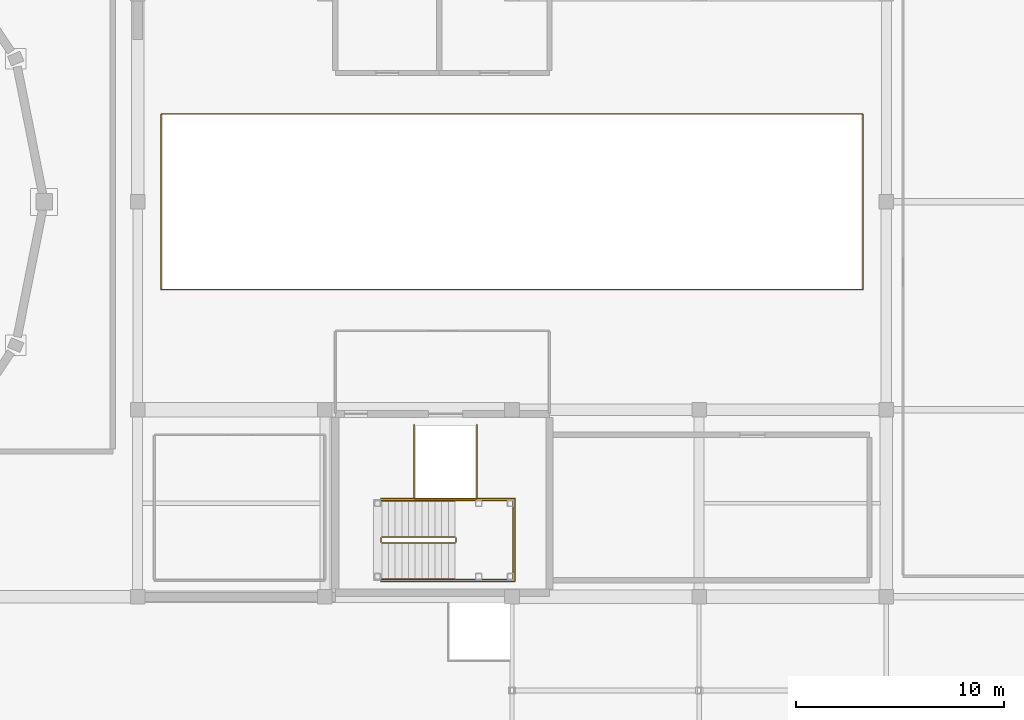
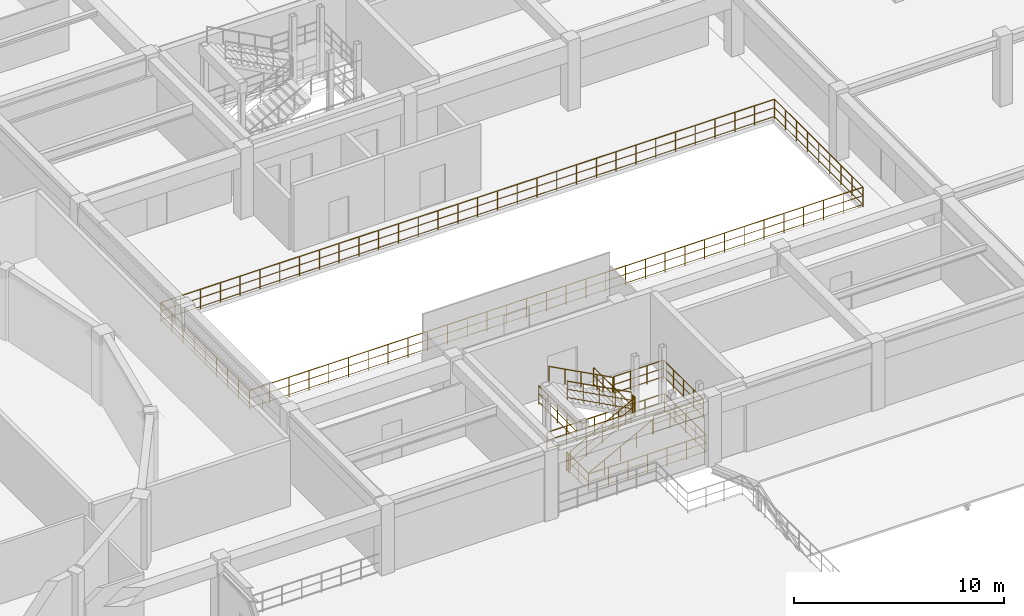
# One storey, part 106 of 110: 10 railings.
"""IFC4 building model written with IfcOpenShell, lengths in metres."""

from ifc_helpers import new_model, si_unit, direction, frame, origin, origin_2d, place, context, subcontext, project, spatial, circle, extrude, material, type_object, element, save


model = new_model("IFC4")

# Units and contexts
model_context = context("Model", 3, precision=1e-05, world=origin(), true_north=direction((0.0, 1.0)))
body_context = subcontext(model_context, "Body", "Model", "MODEL_VIEW")
ifc_project = project(units=[si_unit("LENGTHUNIT", "METRE"), si_unit("AREAUNIT", "SQUARE_METRE"), si_unit("VOLUMEUNIT", "CUBIC_METRE"), si_unit("PLANEANGLEUNIT", "RADIAN"), si_unit("MASSUNIT", "GRAM", prefix="KILO")], contexts=[model_context])

# Site, building, storey
site_placement = place(None, origin())
site = spatial("IfcSite", under=ifc_project, at=site_placement, CompositionType="ELEMENT")
building_placement = place(site_placement, origin())
building = spatial("IfcBuilding", under=site, at=building_placement, Name="Miravela Opera House", CompositionType="ELEMENT")
storey_placement = place(building_placement, frame((0.0, 0.0, 13.60009765625)))
storey = spatial("IfcBuildingStorey", under=building, at=storey_placement, Name="L03", CompositionType="ELEMENT", Elevation=13.60009765625)

# Railings
ifc_material_1 = material(Name="Brushed bronze continuous stair handrail")
railing_type_1 = type_object("IfcRailingType", Name="ARC-RAIL-HAND-900", PredefinedType="HANDRAIL", material=ifc_material_1)
railing_1_placement = place(storey_placement, frame((110.739990234375, 37.85009765625, 0.169921875)))
element("IfcRailing", 1, at=railing_1_placement, inside=storey, type_object=railing_type_1, Name="L03 ST-04 stair handrail 1", PredefinedType="HANDRAIL", context=body_context, shape_type="SweptSolid", body=[
    extrude(circle(Radius=0.02392578125, at=origin_2d()), frame((0.0, 0.0, 0.8759765625), z_axis=(0.883129994055, 0.0, 0.469128355144), x_axis=(0.0, 1.0, 0.0)), (0.0, 0.0, 1.0), 3.98583984375),
    extrude(circle(Radius=0.02099609375, at=origin_2d()), origin(), (0.0, 0.0, 1.0), 0.851806640625),
    extrude(circle(Radius=0.02099609375, at=origin_2d()), frame((0.8798828125, 0.0, 0.467529296875)), (0.0, 0.0, 1.0), 0.851806640625),
    extrude(circle(Radius=0.02099609375, at=origin_2d()), frame((1.760009765625, 0.0, 0.93505859375)), (0.0, 0.0, 1.0), 0.851806640625),
    extrude(circle(Radius=0.02099609375, at=origin_2d()), frame((2.64013671875, 0.0, 1.40234375)), (0.0, 0.0, 1.0), 0.851806640625),
    extrude(circle(Radius=0.02099609375, at=origin_2d()), frame((3.52001953125, 0.0, 1.869873046875)), (0.0, 0.0, 1.0), 0.851806640625),
])
railing_2_placement = place(storey_placement, frame((114.260009765625, 41.6298828125, 2.2099609375)))
element("IfcRailing", 2, at=railing_2_placement, inside=storey, type_object=railing_type_1, Name="L03 ST-04 stair handrail 2", PredefinedType="HANDRAIL", context=body_context, shape_type="SweptSolid", body=[
    extrude(circle(Radius=0.02392578125, at=origin_2d()), frame((0.0, 0.0, 0.8759765625), z_axis=(-0.883129994055, 0.0, 0.469128355144), x_axis=(0.0, -1.0, 0.0)), (0.0, 0.0, 1.0), 3.98583984375),
    extrude(circle(Radius=0.02099609375, at=origin_2d()), origin(), (0.0, 0.0, 1.0), 0.851806640625),
    extrude(circle(Radius=0.02099609375, at=origin_2d()), frame((-0.8798828125, 0.0, 0.467529296875)), (0.0, 0.0, 1.0), 0.851806640625),
    extrude(circle(Radius=0.02099609375, at=origin_2d()), frame((-1.760009765625, 0.0, 0.93505859375)), (0.0, 0.0, 1.0), 0.851806640625),
    extrude(circle(Radius=0.02099609375, at=origin_2d()), frame((-2.64013671875, 0.0, 1.40234375)), (0.0, 0.0, 1.0), 0.851806640625),
    extrude(circle(Radius=0.02099609375, at=origin_2d()), frame((-3.52001953125, 0.0, 1.869873046875)), (0.0, 0.0, 1.0), 0.851806640625),
])
ifc_material_2 = material(Name="Galvanised steel fly-gallery safety guardrail", Category="steel")
railing_type_2 = type_object("IfcRailingType", Name="ARC-RAIL-STAGE-GUARD", PredefinedType="GUARDRAIL", material=ifc_material_2)
railing_3_placement = place(storey_placement, frame((100.122314453125, 51.780517578125, 0.0)))
element("IfcRailing", 3, at=railing_3_placement, inside=storey, type_object=railing_type_2, Name="L03 Void Perimeter Balustrade 0165", PredefinedType="GUARDRAIL", context=body_context, shape_type="SweptSolid", body=[
    extrude(circle(Radius=0.02392578125, at=origin_2d()), frame((0.0, 0.0, 1.1259765625), z_axis=(1.0, 0.0, 0.0), x_axis=(0.0, 1.0, 0.0)), (0.0, 0.0, 1.0), 33.75537109375),
    extrude(circle(Radius=0.01611328125, at=origin_2d()), frame((0.0, 0.0, 0.63232421875), z_axis=(1.0, 0.0, 0.0), x_axis=(0.0, 1.0, 0.0)), (0.0, 0.0, 1.0), 33.75537109375),
    extrude(circle(Radius=0.01611328125, at=origin_2d()), frame((0.0, 0.0, 0.1201171875), z_axis=(1.0, 0.0, 0.0), x_axis=(0.0, 1.0, 0.0)), (0.0, 0.0, 1.0), 33.75537109375),
    extrude(circle(Radius=0.02392578125, at=origin_2d()), frame((33.75537109375, 0.0, 1.1259765625), z_axis=(0.0, 1.0, 0.0), x_axis=(-1.0, 0.0, 0.0)), (0.0, 0.0, 1.0), 8.43896484375),
    extrude(circle(Radius=0.01611328125, at=origin_2d()), frame((33.75537109375, 0.0, 0.63232421875), z_axis=(0.0, 1.0, 0.0), x_axis=(-1.0, 0.0, 0.0)), (0.0, 0.0, 1.0), 8.43896484375),
    extrude(circle(Radius=0.01611328125, at=origin_2d()), frame((33.75537109375, 0.0, 0.1201171875), z_axis=(0.0, 1.0, 0.0), x_axis=(-1.0, 0.0, 0.0)), (0.0, 0.0, 1.0), 8.43896484375),
    extrude(circle(Radius=0.02392578125, at=origin_2d()), frame((33.75537109375, 8.43896484375, 1.1259765625), z_axis=(-1.0, 0.0, 0.0), x_axis=(0.0, -1.0, 0.0)), (0.0, 0.0, 1.0), 33.75537109375),
    extrude(circle(Radius=0.01611328125, at=origin_2d()), frame((33.75537109375, 8.43896484375, 0.63232421875), z_axis=(-1.0, 0.0, 0.0), x_axis=(0.0, -1.0, 0.0)), (0.0, 0.0, 1.0), 33.75537109375),
    extrude(circle(Radius=0.01611328125, at=origin_2d()), frame((33.75537109375, 8.43896484375, 0.1201171875), z_axis=(-1.0, 0.0, 0.0), x_axis=(0.0, -1.0, 0.0)), (0.0, 0.0, 1.0), 33.75537109375),
    extrude(circle(Radius=0.02392578125, at=origin_2d()), frame((0.0, 8.43896484375, 1.1259765625), z_axis=(0.0, -1.0, 0.0), x_axis=(1.0, 0.0, 0.0)), (0.0, 0.0, 1.0), 8.43896484375),
    extrude(circle(Radius=0.01611328125, at=origin_2d()), frame((0.0, 8.43896484375, 0.63232421875), z_axis=(0.0, -1.0, 0.0), x_axis=(1.0, 0.0, 0.0)), (0.0, 0.0, 1.0), 8.43896484375),
    extrude(circle(Radius=0.01611328125, at=origin_2d()), frame((0.0, 8.43896484375, 0.1201171875), z_axis=(0.0, -1.0, 0.0), x_axis=(1.0, 0.0, 0.0)), (0.0, 0.0, 1.0), 8.43896484375),
    extrude(circle(Radius=0.02099609375, at=origin_2d()), origin(), (0.0, 0.0, 1.0), 1.101806640625),
    extrude(circle(Radius=0.02099609375, at=origin_2d()), frame((1.0888671875, 0.0, 0.0)), (0.0, 0.0, 1.0), 1.101806640625),
    extrude(circle(Radius=0.02099609375, at=origin_2d()), frame((2.177734375, 0.0, 0.0)), (0.0, 0.0, 1.0), 1.101806640625),
    extrude(circle(Radius=0.02099609375, at=origin_2d()), frame((3.2666015625, 0.0, 0.0)), (0.0, 0.0, 1.0), 1.101806640625),
    extrude(circle(Radius=0.02099609375, at=origin_2d()), frame((4.35546875, 0.0, 0.0)), (0.0, 0.0, 1.0), 1.101806640625),
    extrude(circle(Radius=0.02099609375, at=origin_2d()), frame((5.4443359375, 0.0, 0.0)), (0.0, 0.0, 1.0), 1.101806640625),
    extrude(circle(Radius=0.02099609375, at=origin_2d()), frame((6.533203125, 0.0, 0.0)), (0.0, 0.0, 1.0), 1.101806640625),
    extrude(circle(Radius=0.02099609375, at=origin_2d()), frame((7.6220703125, 0.0, 0.0)), (0.0, 0.0, 1.0), 1.101806640625),
    extrude(circle(Radius=0.02099609375, at=origin_2d()), frame((8.711181640625, 0.0, 0.0)), (0.0, 0.0, 1.0), 1.101806640625),
    extrude(circle(Radius=0.02099609375, at=origin_2d()), frame((9.800048828125, 0.0, 0.0)), (0.0, 0.0, 1.0), 1.101806640625),
    extrude(circle(Radius=0.02099609375, at=origin_2d()), frame((10.888916015625, 0.0, 0.0)), (0.0, 0.0, 1.0), 1.101806640625),
    extrude(circle(Radius=0.02099609375, at=origin_2d()), frame((11.977783203125, 0.0, 0.0)), (0.0, 0.0, 1.0), 1.101806640625),
    extrude(circle(Radius=0.02099609375, at=origin_2d()), frame((13.066650390625, 0.0, 0.0)), (0.0, 0.0, 1.0), 1.101806640625),
    extrude(circle(Radius=0.02099609375, at=origin_2d()), frame((14.155517578125, 0.0, 0.0)), (0.0, 0.0, 1.0), 1.101806640625),
    extrude(circle(Radius=0.02099609375, at=origin_2d()), frame((15.244384765625, 0.0, 0.0)), (0.0, 0.0, 1.0), 1.101806640625),
    extrude(circle(Radius=0.02099609375, at=origin_2d()), frame((16.333251953125, 0.0, 0.0)), (0.0, 0.0, 1.0), 1.101806640625),
    extrude(circle(Radius=0.02099609375, at=origin_2d()), frame((17.422119140625, 0.0, 0.0)), (0.0, 0.0, 1.0), 1.101806640625),
    extrude(circle(Radius=0.02099609375, at=origin_2d()), frame((18.510986328125, 0.0, 0.0)), (0.0, 0.0, 1.0), 1.101806640625),
    extrude(circle(Radius=0.02099609375, at=origin_2d()), frame((19.599853515625, 0.0, 0.0)), (0.0, 0.0, 1.0), 1.101806640625),
    extrude(circle(Radius=0.02099609375, at=origin_2d()), frame((20.688720703125, 0.0, 0.0)), (0.0, 0.0, 1.0), 1.101806640625),
    extrude(circle(Radius=0.02099609375, at=origin_2d()), frame((21.777587890625, 0.0, 0.0)), (0.0, 0.0, 1.0), 1.101806640625),
    extrude(circle(Radius=0.02099609375, at=origin_2d()), frame((22.866455078125, 0.0, 0.0)), (0.0, 0.0, 1.0), 1.101806640625),
    extrude(circle(Radius=0.02099609375, at=origin_2d()), frame((23.955322265625, 0.0, 0.0)), (0.0, 0.0, 1.0), 1.101806640625),
    extrude(circle(Radius=0.02099609375, at=origin_2d()), frame((25.044189453125, 0.0, 0.0)), (0.0, 0.0, 1.0), 1.101806640625),
    extrude(circle(Radius=0.02099609375, at=origin_2d()), frame((26.13330078125, 0.0, 0.0)), (0.0, 0.0, 1.0), 1.101806640625),
    extrude(circle(Radius=0.02099609375, at=origin_2d()), frame((27.22216796875, 0.0, 0.0)), (0.0, 0.0, 1.0), 1.101806640625),
    extrude(circle(Radius=0.02099609375, at=origin_2d()), frame((28.31103515625, 0.0, 0.0)), (0.0, 0.0, 1.0), 1.101806640625),
    extrude(circle(Radius=0.02099609375, at=origin_2d()), frame((29.39990234375, 0.0, 0.0)), (0.0, 0.0, 1.0), 1.101806640625),
    extrude(circle(Radius=0.02099609375, at=origin_2d()), frame((30.48876953125, 0.0, 0.0)), (0.0, 0.0, 1.0), 1.101806640625),
    extrude(circle(Radius=0.02099609375, at=origin_2d()), frame((31.57763671875, 0.0, 0.0)), (0.0, 0.0, 1.0), 1.101806640625),
    extrude(circle(Radius=0.02099609375, at=origin_2d()), frame((32.66650390625, 0.0, 0.0)), (0.0, 0.0, 1.0), 1.101806640625),
    extrude(circle(Radius=0.02099609375, at=origin_2d()), frame((33.75537109375, 0.0, 0.0)), (0.0, 0.0, 1.0), 1.101806640625),
    extrude(circle(Radius=0.02099609375, at=origin_2d()), frame((33.75537109375, 1.054931640625, 0.0)), (0.0, 0.0, 1.0), 1.101806640625),
    extrude(circle(Radius=0.02099609375, at=origin_2d()), frame((33.75537109375, 2.10986328125, 0.0)), (0.0, 0.0, 1.0), 1.101806640625),
    extrude(circle(Radius=0.02099609375, at=origin_2d()), frame((33.75537109375, 3.16455078125, 0.0)), (0.0, 0.0, 1.0), 1.101806640625),
    extrude(circle(Radius=0.02099609375, at=origin_2d()), frame((33.75537109375, 4.219482421875, 0.0)), (0.0, 0.0, 1.0), 1.101806640625),
    extrude(circle(Radius=0.02099609375, at=origin_2d()), frame((33.75537109375, 5.2744140625, 0.0)), (0.0, 0.0, 1.0), 1.101806640625),
    extrude(circle(Radius=0.02099609375, at=origin_2d()), frame((33.75537109375, 6.3291015625, 0.0)), (0.0, 0.0, 1.0), 1.101806640625),
    extrude(circle(Radius=0.02099609375, at=origin_2d()), frame((33.75537109375, 7.384033203125, 0.0)), (0.0, 0.0, 1.0), 1.101806640625),
    extrude(circle(Radius=0.02099609375, at=origin_2d()), frame((33.75537109375, 8.43896484375, 0.0)), (0.0, 0.0, 1.0), 1.101806640625),
    extrude(circle(Radius=0.02099609375, at=origin_2d()), frame((32.66650390625, 8.43896484375, 0.0)), (0.0, 0.0, 1.0), 1.101806640625),
    extrude(circle(Radius=0.02099609375, at=origin_2d()), frame((31.57763671875, 8.43896484375, 0.0)), (0.0, 0.0, 1.0), 1.101806640625),
    extrude(circle(Radius=0.02099609375, at=origin_2d()), frame((30.48876953125, 8.43896484375, 0.0)), (0.0, 0.0, 1.0), 1.101806640625),
    extrude(circle(Radius=0.02099609375, at=origin_2d()), frame((29.39990234375, 8.43896484375, 0.0)), (0.0, 0.0, 1.0), 1.101806640625),
    extrude(circle(Radius=0.02099609375, at=origin_2d()), frame((28.31103515625, 8.43896484375, 0.0)), (0.0, 0.0, 1.0), 1.101806640625),
    extrude(circle(Radius=0.02099609375, at=origin_2d()), frame((27.22216796875, 8.43896484375, 0.0)), (0.0, 0.0, 1.0), 1.101806640625),
    extrude(circle(Radius=0.02099609375, at=origin_2d()), frame((26.13330078125, 8.43896484375, 0.0)), (0.0, 0.0, 1.0), 1.101806640625),
    extrude(circle(Radius=0.02099609375, at=origin_2d()), frame((25.044189453125, 8.43896484375, 0.0)), (0.0, 0.0, 1.0), 1.101806640625),
    extrude(circle(Radius=0.02099609375, at=origin_2d()), frame((23.955322265625, 8.43896484375, 0.0)), (0.0, 0.0, 1.0), 1.101806640625),
    extrude(circle(Radius=0.02099609375, at=origin_2d()), frame((22.866455078125, 8.43896484375, 0.0)), (0.0, 0.0, 1.0), 1.101806640625),
    extrude(circle(Radius=0.02099609375, at=origin_2d()), frame((21.777587890625, 8.43896484375, 0.0)), (0.0, 0.0, 1.0), 1.101806640625),
    extrude(circle(Radius=0.02099609375, at=origin_2d()), frame((20.688720703125, 8.43896484375, 0.0)), (0.0, 0.0, 1.0), 1.101806640625),
    extrude(circle(Radius=0.02099609375, at=origin_2d()), frame((19.599853515625, 8.43896484375, 0.0)), (0.0, 0.0, 1.0), 1.101806640625),
    extrude(circle(Radius=0.02099609375, at=origin_2d()), frame((18.510986328125, 8.43896484375, 0.0)), (0.0, 0.0, 1.0), 1.101806640625),
    extrude(circle(Radius=0.02099609375, at=origin_2d()), frame((17.422119140625, 8.43896484375, 0.0)), (0.0, 0.0, 1.0), 1.101806640625),
    extrude(circle(Radius=0.02099609375, at=origin_2d()), frame((16.333251953125, 8.43896484375, 0.0)), (0.0, 0.0, 1.0), 1.101806640625),
    extrude(circle(Radius=0.02099609375, at=origin_2d()), frame((15.244384765625, 8.43896484375, 0.0)), (0.0, 0.0, 1.0), 1.101806640625),
    extrude(circle(Radius=0.02099609375, at=origin_2d()), frame((14.155517578125, 8.43896484375, 0.0)), (0.0, 0.0, 1.0), 1.101806640625),
    extrude(circle(Radius=0.02099609375, at=origin_2d()), frame((13.066650390625, 8.43896484375, 0.0)), (0.0, 0.0, 1.0), 1.101806640625),
    extrude(circle(Radius=0.02099609375, at=origin_2d()), frame((11.977783203125, 8.43896484375, 0.0)), (0.0, 0.0, 1.0), 1.101806640625),
    extrude(circle(Radius=0.02099609375, at=origin_2d()), frame((10.888916015625, 8.43896484375, 0.0)), (0.0, 0.0, 1.0), 1.101806640625),
    extrude(circle(Radius=0.02099609375, at=origin_2d()), frame((9.800048828125, 8.43896484375, 0.0)), (0.0, 0.0, 1.0), 1.101806640625),
    extrude(circle(Radius=0.02099609375, at=origin_2d()), frame((8.711181640625, 8.43896484375, 0.0)), (0.0, 0.0, 1.0), 1.101806640625),
    extrude(circle(Radius=0.02099609375, at=origin_2d()), frame((7.6220703125, 8.43896484375, 0.0)), (0.0, 0.0, 1.0), 1.101806640625),
    extrude(circle(Radius=0.02099609375, at=origin_2d()), frame((6.533203125, 8.43896484375, 0.0)), (0.0, 0.0, 1.0), 1.101806640625),
    extrude(circle(Radius=0.02099609375, at=origin_2d()), frame((5.4443359375, 8.43896484375, 0.0)), (0.0, 0.0, 1.0), 1.101806640625),
    extrude(circle(Radius=0.02099609375, at=origin_2d()), frame((4.35546875, 8.43896484375, 0.0)), (0.0, 0.0, 1.0), 1.101806640625),
    extrude(circle(Radius=0.02099609375, at=origin_2d()), frame((3.2666015625, 8.43896484375, 0.0)), (0.0, 0.0, 1.0), 1.101806640625),
    extrude(circle(Radius=0.02099609375, at=origin_2d()), frame((2.177734375, 8.43896484375, 0.0)), (0.0, 0.0, 1.0), 1.101806640625),
    extrude(circle(Radius=0.02099609375, at=origin_2d()), frame((1.0888671875, 8.43896484375, 0.0)), (0.0, 0.0, 1.0), 1.101806640625),
    extrude(circle(Radius=0.02099609375, at=origin_2d()), frame((0.0, 8.43896484375, 0.0)), (0.0, 0.0, 1.0), 1.101806640625),
    extrude(circle(Radius=0.02099609375, at=origin_2d()), frame((0.0, 7.384033203125, 0.0)), (0.0, 0.0, 1.0), 1.101806640625),
    extrude(circle(Radius=0.02099609375, at=origin_2d()), frame((0.0, 6.3291015625, 0.0)), (0.0, 0.0, 1.0), 1.101806640625),
    extrude(circle(Radius=0.02099609375, at=origin_2d()), frame((0.0, 5.2744140625, 0.0)), (0.0, 0.0, 1.0), 1.101806640625),
    extrude(circle(Radius=0.02099609375, at=origin_2d()), frame((0.0, 4.219482421875, 0.0)), (0.0, 0.0, 1.0), 1.101806640625),
    extrude(circle(Radius=0.02099609375, at=origin_2d()), frame((0.0, 3.16455078125, 0.0)), (0.0, 0.0, 1.0), 1.101806640625),
    extrude(circle(Radius=0.02099609375, at=origin_2d()), frame((0.0, 2.10986328125, 0.0)), (0.0, 0.0, 1.0), 1.101806640625),
    extrude(circle(Radius=0.02099609375, at=origin_2d()), frame((0.0, 1.054931640625, 0.0)), (0.0, 0.0, 1.0), 1.101806640625),
])
ifc_material_3 = material(Name="Painted wrought-iron stair guardrail")
railing_type_3 = type_object("IfcRailingType", Name="ARC-RAIL-STAIR-GUARD", PredefinedType="GUARDRAIL", material=ifc_material_3)
railing_4_placement = place(storey_placement, frame((110.739990234375, 39.590087890625, 0.169921875)))
element("IfcRailing", 4, at=railing_4_placement, inside=storey, type_object=railing_type_3, Name="L03 ST-04 stair guard 1", PredefinedType="GUARDRAIL", context=body_context, shape_type="SweptSolid", body=[
    extrude(circle(Radius=0.02392578125, at=origin_2d()), frame((0.0, 0.0, 1.076171875), z_axis=(0.883129994055, 0.0, 0.469128355144), x_axis=(0.0, 1.0, 0.0)), (0.0, 0.0, 1.0), 3.98583984375),
    extrude(circle(Radius=0.01611328125, at=origin_2d()), frame((0.0, 0.0, 0.60498046875), z_axis=(0.883129994055, 0.0, 0.469128355144), x_axis=(0.0, 1.0, 0.0)), (0.0, 0.0, 1.0), 3.98583984375),
    extrude(circle(Radius=0.01611328125, at=origin_2d()), frame((0.0, 0.0, 0.1201171875), z_axis=(0.883129994055, 0.0, 0.469128355144), x_axis=(0.0, 1.0, 0.0)), (0.0, 0.0, 1.0), 3.98583984375),
    extrude(circle(Radius=0.02099609375, at=origin_2d()), origin(), (0.0, 0.0, 1.0), 1.052001953125),
    extrude(circle(Radius=0.02099609375, at=origin_2d()), frame((0.8798828125, 0.0, 0.467529296875)), (0.0, 0.0, 1.0), 1.052001953125),
    extrude(circle(Radius=0.02099609375, at=origin_2d()), frame((1.760009765625, 0.0, 0.93505859375)), (0.0, 0.0, 1.0), 1.052001953125),
    extrude(circle(Radius=0.02099609375, at=origin_2d()), frame((2.64013671875, 0.0, 1.40234375)), (0.0, 0.0, 1.0), 1.052001953125),
    extrude(circle(Radius=0.02099609375, at=origin_2d()), frame((3.52001953125, 0.0, 1.869873046875)), (0.0, 0.0, 1.0), 1.052001953125),
])
railing_5_placement = place(storey_placement, frame((114.31005859375, 39.639892578125, 2.039794921875)))
element("IfcRailing", 5, at=railing_5_placement, inside=storey, type_object=railing_type_3, Name="L03 ST-04 stair guard 2", PredefinedType="GUARDRAIL", context=body_context, shape_type="SweptSolid", body=[
    extrude(circle(Radius=0.02392578125, at=origin_2d()), frame((0.0, 0.0, 1.076171875), z_axis=(0.0, 1.0, 0.0), x_axis=(-1.0, 0.0, 0.0)), (0.0, 0.0, 1.0), 0.2001953125),
    extrude(circle(Radius=0.01611328125, at=origin_2d()), frame((0.0, 0.0, 0.60498046875), z_axis=(0.0, 1.0, 0.0), x_axis=(-1.0, 0.0, 0.0)), (0.0, 0.0, 1.0), 0.2001953125),
    extrude(circle(Radius=0.01611328125, at=origin_2d()), frame((0.0, 0.0, 0.1201171875), z_axis=(0.0, 1.0, 0.0), x_axis=(-1.0, 0.0, 0.0)), (0.0, 0.0, 1.0), 0.2001953125),
    extrude(circle(Radius=0.02099609375, at=origin_2d()), origin(), (0.0, 0.0, 1.0), 1.052001953125),
    extrude(circle(Radius=0.02099609375, at=origin_2d()), frame((0.0, 0.2001953125, 0.0)), (0.0, 0.0, 1.0), 1.052001953125),
])
railing_6_placement = place(storey_placement, frame((114.260009765625, 39.889892578125, 2.2099609375)))
element("IfcRailing", 6, at=railing_6_placement, inside=storey, type_object=railing_type_3, Name="L03 ST-04 stair guard 3", PredefinedType="GUARDRAIL", context=body_context, shape_type="SweptSolid", body=[
    extrude(circle(Radius=0.02392578125, at=origin_2d()), frame((0.0, 0.0, 1.076171875), z_axis=(-0.883129994055, 0.0, 0.469128355144), x_axis=(0.0, -1.0, 0.0)), (0.0, 0.0, 1.0), 3.98583984375),
    extrude(circle(Radius=0.01611328125, at=origin_2d()), frame((0.0, 0.0, 0.60498046875), z_axis=(-0.883129994055, 0.0, 0.469128355144), x_axis=(0.0, -1.0, 0.0)), (0.0, 0.0, 1.0), 3.98583984375),
    extrude(circle(Radius=0.01611328125, at=origin_2d()), frame((0.0, 0.0, 0.1201171875), z_axis=(-0.883129994055, 0.0, 0.469128355144), x_axis=(0.0, -1.0, 0.0)), (0.0, 0.0, 1.0), 3.98583984375),
    extrude(circle(Radius=0.02099609375, at=origin_2d()), origin(), (0.0, 0.0, 1.0), 1.052001953125),
    extrude(circle(Radius=0.02099609375, at=origin_2d()), frame((-0.8798828125, 0.0, 0.467529296875)), (0.0, 0.0, 1.0), 1.052001953125),
    extrude(circle(Radius=0.02099609375, at=origin_2d()), frame((-1.760009765625, 0.0, 0.93505859375)), (0.0, 0.0, 1.0), 1.052001953125),
    extrude(circle(Radius=0.02099609375, at=origin_2d()), frame((-2.64013671875, 0.0, 1.40234375)), (0.0, 0.0, 1.0), 1.052001953125),
    extrude(circle(Radius=0.02099609375, at=origin_2d()), frame((-3.52001953125, 0.0, 1.869873046875)), (0.0, 0.0, 1.0), 1.052001953125),
])
railing_7_placement = place(storey_placement, frame((110.68994140625, 39.639892578125, 0.0)))
element("IfcRailing", 7, at=railing_7_placement, inside=storey, type_object=railing_type_3, Name="L03 ST-04 stair guard 4", PredefinedType="GUARDRAIL", context=body_context, shape_type="SweptSolid", body=[
    extrude(circle(Radius=0.02392578125, at=origin_2d()), frame((0.0, 0.0, 1.076171875), z_axis=(0.0, 1.0, 0.0), x_axis=(-1.0, 0.0, 0.0)), (0.0, 0.0, 1.0), 0.2001953125),
    extrude(circle(Radius=0.01611328125, at=origin_2d()), frame((0.0, 0.0, 0.60498046875), z_axis=(0.0, 1.0, 0.0), x_axis=(-1.0, 0.0, 0.0)), (0.0, 0.0, 1.0), 0.2001953125),
    extrude(circle(Radius=0.01611328125, at=origin_2d()), frame((0.0, 0.0, 0.1201171875), z_axis=(0.0, 1.0, 0.0), x_axis=(-1.0, 0.0, 0.0)), (0.0, 0.0, 1.0), 0.2001953125),
    extrude(circle(Radius=0.02099609375, at=origin_2d()), origin(), (0.0, 0.0, 1.0), 1.052001953125),
    extrude(circle(Radius=0.02099609375, at=origin_2d()), frame((0.0, 0.2001953125, 0.0)), (0.0, 0.0, 1.0), 1.052001953125),
])
railing_8_placement = place(storey_placement, frame((114.31005859375, 37.85009765625, 2.039794921875)))
element("IfcRailing", 8, at=railing_8_placement, inside=storey, type_object=railing_type_3, Name="Stair ST-04 Half-Landing Perimeter Guard (L03) 0041", PredefinedType="GUARDRAIL", context=body_context, shape_type="SweptSolid", body=[
    extrude(circle(Radius=0.02392578125, at=origin_2d()), frame((0.0, 0.0, 1.076171875), z_axis=(1.0, 0.0, 0.0), x_axis=(0.0, 1.0, 0.0)), (0.0, 0.0, 1.0), 2.739990234375),
    extrude(circle(Radius=0.01611328125, at=origin_2d()), frame((0.0, 0.0, 0.60498046875), z_axis=(1.0, 0.0, 0.0), x_axis=(0.0, 1.0, 0.0)), (0.0, 0.0, 1.0), 2.739990234375),
    extrude(circle(Radius=0.01611328125, at=origin_2d()), frame((0.0, 0.0, 0.1201171875), z_axis=(1.0, 0.0, 0.0), x_axis=(0.0, 1.0, 0.0)), (0.0, 0.0, 1.0), 2.739990234375),
    extrude(circle(Radius=0.02392578125, at=origin_2d()), frame((2.739990234375, 0.0, 1.076171875), z_axis=(0.0, 1.0, 0.0), x_axis=(-1.0, 0.0, 0.0)), (0.0, 0.0, 1.0), 3.77978515625),
    extrude(circle(Radius=0.01611328125, at=origin_2d()), frame((2.739990234375, 0.0, 0.60498046875), z_axis=(0.0, 1.0, 0.0), x_axis=(-1.0, 0.0, 0.0)), (0.0, 0.0, 1.0), 3.77978515625),
    extrude(circle(Radius=0.01611328125, at=origin_2d()), frame((2.739990234375, 0.0, 0.1201171875), z_axis=(0.0, 1.0, 0.0), x_axis=(-1.0, 0.0, 0.0)), (0.0, 0.0, 1.0), 3.77978515625),
    extrude(circle(Radius=0.02392578125, at=origin_2d()), frame((2.739990234375, 3.77978515625, 1.076171875), z_axis=(-1.0, 0.0, 0.0), x_axis=(0.0, -1.0, 0.0)), (0.0, 0.0, 1.0), 2.739990234375),
    extrude(circle(Radius=0.01611328125, at=origin_2d()), frame((2.739990234375, 3.77978515625, 0.60498046875), z_axis=(-1.0, 0.0, 0.0), x_axis=(0.0, -1.0, 0.0)), (0.0, 0.0, 1.0), 2.739990234375),
    extrude(circle(Radius=0.01611328125, at=origin_2d()), frame((2.739990234375, 3.77978515625, 0.1201171875), z_axis=(-1.0, 0.0, 0.0), x_axis=(0.0, -1.0, 0.0)), (0.0, 0.0, 1.0), 2.739990234375),
    extrude(circle(Radius=0.02099609375, at=origin_2d()), origin(), (0.0, 0.0, 1.0), 1.052001953125),
    extrude(circle(Radius=0.02099609375, at=origin_2d()), frame((0.913330078125, 0.0, 0.0)), (0.0, 0.0, 1.0), 1.052001953125),
    extrude(circle(Radius=0.02099609375, at=origin_2d()), frame((1.82666015625, 0.0, 0.0)), (0.0, 0.0, 1.0), 1.052001953125),
    extrude(circle(Radius=0.02099609375, at=origin_2d()), frame((2.739990234375, 0.0, 0.0)), (0.0, 0.0, 1.0), 1.052001953125),
    extrude(circle(Radius=0.02099609375, at=origin_2d()), frame((2.739990234375, 0.94482421875, 0.0)), (0.0, 0.0, 1.0), 1.052001953125),
    extrude(circle(Radius=0.02099609375, at=origin_2d()), frame((2.739990234375, 1.889892578125, 0.0)), (0.0, 0.0, 1.0), 1.052001953125),
    extrude(circle(Radius=0.02099609375, at=origin_2d()), frame((2.739990234375, 2.8349609375, 0.0)), (0.0, 0.0, 1.0), 1.052001953125),
    extrude(circle(Radius=0.02099609375, at=origin_2d()), frame((2.739990234375, 3.77978515625, 0.0)), (0.0, 0.0, 1.0), 1.052001953125),
    extrude(circle(Radius=0.02099609375, at=origin_2d()), frame((1.82666015625, 3.77978515625, 0.0)), (0.0, 0.0, 1.0), 1.052001953125),
    extrude(circle(Radius=0.02099609375, at=origin_2d()), frame((0.913330078125, 3.77978515625, 0.0)), (0.0, 0.0, 1.0), 1.052001953125),
    extrude(circle(Radius=0.02099609375, at=origin_2d()), frame((0.0, 3.77978515625, 0.0)), (0.0, 0.0, 1.0), 1.052001953125),
])
railing_9_placement = place(storey_placement, frame((110.68994140625, 39.669921875, 0.0)))
element("IfcRailing", 9, at=railing_9_placement, inside=storey, type_object=railing_type_3, Name="Stair ST-04 Well Slab Opening Guard (L03) 0046", PredefinedType="GUARDRAIL", context=body_context, shape_type="SweptSolid", body=[
    extrude(circle(Radius=0.02392578125, at=origin_2d()), frame((0.0, 0.0, 1.076171875), z_axis=(0.0, -1.0, 0.0), x_axis=(1.0, 0.0, 0.0)), (0.0, 0.0, 1.0), 1.919921875),
    extrude(circle(Radius=0.01611328125, at=origin_2d()), frame((0.0, 0.0, 0.60498046875), z_axis=(0.0, -1.0, 0.0), x_axis=(1.0, 0.0, 0.0)), (0.0, 0.0, 1.0), 1.919921875),
    extrude(circle(Radius=0.01611328125, at=origin_2d()), frame((0.0, 0.0, 0.1201171875), z_axis=(0.0, -1.0, 0.0), x_axis=(1.0, 0.0, 0.0)), (0.0, 0.0, 1.0), 1.919921875),
    extrude(circle(Radius=0.02392578125, at=origin_2d()), frame((0.0, -1.919921875, 1.076171875), z_axis=(1.0, 0.0, 0.0), x_axis=(0.0, 1.0, 0.0)), (0.0, 0.0, 1.0), 6.4599609375),
    extrude(circle(Radius=0.01611328125, at=origin_2d()), frame((0.0, -1.919921875, 0.60498046875), z_axis=(1.0, 0.0, 0.0), x_axis=(0.0, 1.0, 0.0)), (0.0, 0.0, 1.0), 6.4599609375),
    extrude(circle(Radius=0.01611328125, at=origin_2d()), frame((0.0, -1.919921875, 0.1201171875), z_axis=(1.0, 0.0, 0.0), x_axis=(0.0, 1.0, 0.0)), (0.0, 0.0, 1.0), 6.4599609375),
    extrude(circle(Radius=0.02392578125, at=origin_2d()), frame((6.4599609375, -1.919921875, 1.076171875), z_axis=(0.0, 1.0, 0.0), x_axis=(-1.0, 0.0, 0.0)), (0.0, 0.0, 1.0), 3.97998046875),
    extrude(circle(Radius=0.01611328125, at=origin_2d()), frame((6.4599609375, -1.919921875, 0.60498046875), z_axis=(0.0, 1.0, 0.0), x_axis=(-1.0, 0.0, 0.0)), (0.0, 0.0, 1.0), 3.97998046875),
    extrude(circle(Radius=0.01611328125, at=origin_2d()), frame((6.4599609375, -1.919921875, 0.1201171875), z_axis=(0.0, 1.0, 0.0), x_axis=(-1.0, 0.0, 0.0)), (0.0, 0.0, 1.0), 3.97998046875),
    extrude(circle(Radius=0.02392578125, at=origin_2d()), frame((6.4599609375, 2.06005859375, 1.076171875), z_axis=(-1.0, 0.0, 0.0), x_axis=(0.0, -1.0, 0.0)), (0.0, 0.0, 1.0), 6.4599609375),
    extrude(circle(Radius=0.01611328125, at=origin_2d()), frame((6.4599609375, 2.06005859375, 0.60498046875), z_axis=(-1.0, 0.0, 0.0), x_axis=(0.0, -1.0, 0.0)), (0.0, 0.0, 1.0), 6.4599609375),
    extrude(circle(Radius=0.01611328125, at=origin_2d()), frame((6.4599609375, 2.06005859375, 0.1201171875), z_axis=(-1.0, 0.0, 0.0), x_axis=(0.0, -1.0, 0.0)), (0.0, 0.0, 1.0), 6.4599609375),
    extrude(circle(Radius=0.02099609375, at=origin_2d()), origin(), (0.0, 0.0, 1.0), 1.052001953125),
    extrude(circle(Radius=0.02099609375, at=origin_2d()), frame((0.0, -0.9599609375, 0.0)), (0.0, 0.0, 1.0), 1.052001953125),
    extrude(circle(Radius=0.02099609375, at=origin_2d()), frame((0.0, -1.919921875, 0.0)), (0.0, 0.0, 1.0), 1.052001953125),
    extrude(circle(Radius=0.02099609375, at=origin_2d()), frame((1.07666015625, -1.919921875, 0.0)), (0.0, 0.0, 1.0), 1.052001953125),
    extrude(circle(Radius=0.02099609375, at=origin_2d()), frame((2.1533203125, -1.919921875, 0.0)), (0.0, 0.0, 1.0), 1.052001953125),
    extrude(circle(Radius=0.02099609375, at=origin_2d()), frame((3.22998046875, -1.919921875, 0.0)), (0.0, 0.0, 1.0), 1.052001953125),
    extrude(circle(Radius=0.02099609375, at=origin_2d()), frame((4.306640625, -1.919921875, 0.0)), (0.0, 0.0, 1.0), 1.052001953125),
    extrude(circle(Radius=0.02099609375, at=origin_2d()), frame((5.38330078125, -1.919921875, 0.0)), (0.0, 0.0, 1.0), 1.052001953125),
    extrude(circle(Radius=0.02099609375, at=origin_2d()), frame((6.4599609375, -1.919921875, 0.0)), (0.0, 0.0, 1.0), 1.052001953125),
    extrude(circle(Radius=0.02099609375, at=origin_2d()), frame((6.4599609375, -0.9248046875, 0.0)), (0.0, 0.0, 1.0), 1.052001953125),
    extrude(circle(Radius=0.02099609375, at=origin_2d()), frame((6.4599609375, 0.070068359375, 0.0)), (0.0, 0.0, 1.0), 1.052001953125),
    extrude(circle(Radius=0.02099609375, at=origin_2d()), frame((6.4599609375, 1.06494140625, 0.0)), (0.0, 0.0, 1.0), 1.052001953125),
    extrude(circle(Radius=0.02099609375, at=origin_2d()), frame((6.4599609375, 2.06005859375, 0.0)), (0.0, 0.0, 1.0), 1.052001953125),
    extrude(circle(Radius=0.02099609375, at=origin_2d()), frame((5.38330078125, 2.06005859375, 0.0)), (0.0, 0.0, 1.0), 1.052001953125),
    extrude(circle(Radius=0.02099609375, at=origin_2d()), frame((4.306640625, 2.06005859375, 0.0)), (0.0, 0.0, 1.0), 1.052001953125),
    extrude(circle(Radius=0.02099609375, at=origin_2d()), frame((3.22998046875, 2.06005859375, 0.0)), (0.0, 0.0, 1.0), 1.052001953125),
    extrude(circle(Radius=0.02099609375, at=origin_2d()), frame((2.1533203125, 2.06005859375, 0.0)), (0.0, 0.0, 1.0), 1.052001953125),
    extrude(circle(Radius=0.02099609375, at=origin_2d()), frame((1.07666015625, 2.06005859375, 0.0)), (0.0, 0.0, 1.0), 1.052001953125),
    extrude(circle(Radius=0.02099609375, at=origin_2d()), frame((0.0, 2.06005859375, 0.0)), (0.0, 0.0, 1.0), 1.052001953125),
])
railing_10_placement = place(storey_placement, frame((112.2900390625, 45.2900390625, 0.0)))
element("IfcRailing", 10, at=railing_10_placement, inside=storey, type_object=railing_type_3, Name="Lift FL-02 Hoistway Slab Opening Guard (L03) 0132", PredefinedType="GUARDRAIL", context=body_context, shape_type="SweptSolid", body=[
    extrude(circle(Radius=0.02392578125, at=origin_2d()), frame((0.0, 0.0, 1.076171875), z_axis=(0.0, -1.0, 0.0), x_axis=(1.0, 0.0, 0.0)), (0.0, 0.0, 1.0), 3.574951171875),
    extrude(circle(Radius=0.01611328125, at=origin_2d()), frame((0.0, 0.0, 0.60498046875), z_axis=(0.0, -1.0, 0.0), x_axis=(1.0, 0.0, 0.0)), (0.0, 0.0, 1.0), 3.574951171875),
    extrude(circle(Radius=0.01611328125, at=origin_2d()), frame((0.0, 0.0, 0.1201171875), z_axis=(0.0, -1.0, 0.0), x_axis=(1.0, 0.0, 0.0)), (0.0, 0.0, 1.0), 3.574951171875),
    extrude(circle(Radius=0.02392578125, at=origin_2d()), frame((0.0, -3.574951171875, 1.076171875), z_axis=(1.0, 0.0, 0.0), x_axis=(0.0, 1.0, 0.0)), (0.0, 0.0, 1.0), 3.02001953125),
    extrude(circle(Radius=0.01611328125, at=origin_2d()), frame((0.0, -3.574951171875, 0.60498046875), z_axis=(1.0, 0.0, 0.0), x_axis=(0.0, 1.0, 0.0)), (0.0, 0.0, 1.0), 3.02001953125),
    extrude(circle(Radius=0.01611328125, at=origin_2d()), frame((0.0, -3.574951171875, 0.1201171875), z_axis=(1.0, 0.0, 0.0), x_axis=(0.0, 1.0, 0.0)), (0.0, 0.0, 1.0), 3.02001953125),
    extrude(circle(Radius=0.02392578125, at=origin_2d()), frame((3.02001953125, -3.574951171875, 1.076171875), z_axis=(0.0, 1.0, 0.0), x_axis=(-1.0, 0.0, 0.0)), (0.0, 0.0, 1.0), 3.574951171875),
    extrude(circle(Radius=0.01611328125, at=origin_2d()), frame((3.02001953125, -3.574951171875, 0.60498046875), z_axis=(0.0, 1.0, 0.0), x_axis=(-1.0, 0.0, 0.0)), (0.0, 0.0, 1.0), 3.574951171875),
    extrude(circle(Radius=0.01611328125, at=origin_2d()), frame((3.02001953125, -3.574951171875, 0.1201171875), z_axis=(0.0, 1.0, 0.0), x_axis=(-1.0, 0.0, 0.0)), (0.0, 0.0, 1.0), 3.574951171875),
    extrude(circle(Radius=0.02099609375, at=origin_2d()), origin(), (0.0, 0.0, 1.0), 1.052001953125),
    extrude(circle(Radius=0.02099609375, at=origin_2d()), frame((0.0, -0.893798828125, 0.0)), (0.0, 0.0, 1.0), 1.052001953125),
    extrude(circle(Radius=0.02099609375, at=origin_2d()), frame((0.0, -1.78759765625, 0.0)), (0.0, 0.0, 1.0), 1.052001953125),
    extrude(circle(Radius=0.02099609375, at=origin_2d()), frame((0.0, -2.68115234375, 0.0)), (0.0, 0.0, 1.0), 1.052001953125),
    extrude(circle(Radius=0.02099609375, at=origin_2d()), frame((0.0, -3.574951171875, 0.0)), (0.0, 0.0, 1.0), 1.052001953125),
    extrude(circle(Radius=0.02099609375, at=origin_2d()), frame((1.006591796875, -3.574951171875, 0.0)), (0.0, 0.0, 1.0), 1.052001953125),
    extrude(circle(Radius=0.02099609375, at=origin_2d()), frame((2.013427734375, -3.574951171875, 0.0)), (0.0, 0.0, 1.0), 1.052001953125),
    extrude(circle(Radius=0.02099609375, at=origin_2d()), frame((3.02001953125, -3.574951171875, 0.0)), (0.0, 0.0, 1.0), 1.052001953125),
    extrude(circle(Radius=0.02099609375, at=origin_2d()), frame((3.02001953125, -2.68115234375, 0.0)), (0.0, 0.0, 1.0), 1.052001953125),
    extrude(circle(Radius=0.02099609375, at=origin_2d()), frame((3.02001953125, -1.78759765625, 0.0)), (0.0, 0.0, 1.0), 1.052001953125),
    extrude(circle(Radius=0.02099609375, at=origin_2d()), frame((3.02001953125, -0.893798828125, 0.0)), (0.0, 0.0, 1.0), 1.052001953125),
    extrude(circle(Radius=0.02099609375, at=origin_2d()), frame((3.02001953125, 0.0, 0.0)), (0.0, 0.0, 1.0), 1.052001953125),
])

save(model, "model.ifc")
